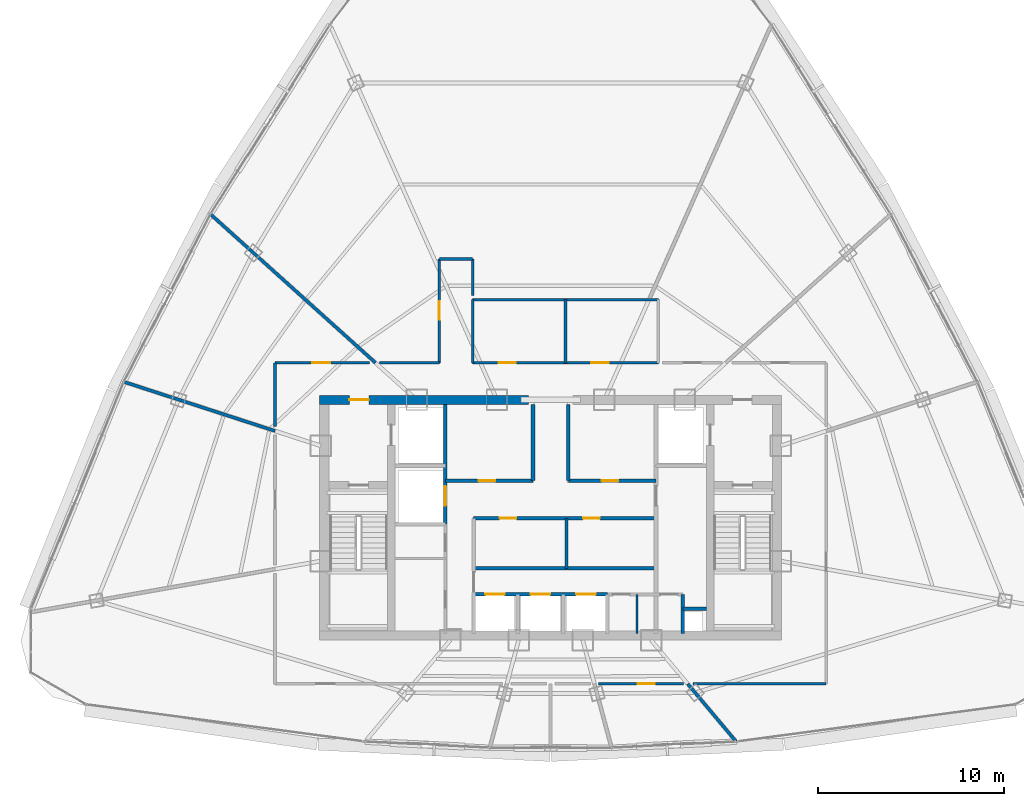
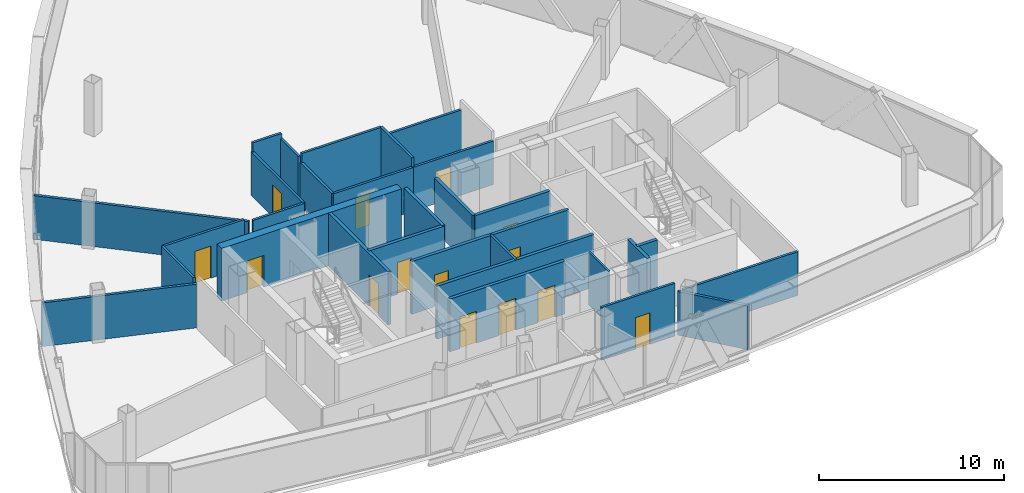
# One storey, part 22 of 26: 30 walls, 14 doors, 14 openings.
"""IFC4 building model written with IfcOpenShell, lengths in metres."""

from ifc_helpers import new_model, si_unit, direction, frame, frame_2d, origin, origin_with_axes, place, context, subcontext, project, spatial, rectangle, extrude, source, transform, mapped, material, layer, layer_set, type_object, element, fill, save


model = new_model("IFC4")

# Units and contexts
model_context = context("Model", 3, precision=1e-05, world=origin(), true_north=direction((0.0, 1.0)))
body_context = subcontext(model_context, "Body", "Model", "MODEL_VIEW")
ifc_project = project(units=[si_unit("LENGTHUNIT", "METRE"), si_unit("AREAUNIT", "SQUARE_METRE"), si_unit("VOLUMEUNIT", "CUBIC_METRE"), si_unit("PLANEANGLEUNIT", "RADIAN"), si_unit("MASSUNIT", "GRAM", prefix="KILO"), si_unit("THERMODYNAMICTEMPERATUREUNIT", "KELVIN"), si_unit("POWERUNIT", "WATT")], contexts=[model_context])

# Site, building, storey
site_placement = place(None, origin())
site = spatial("IfcSite", under=ifc_project, at=site_placement, CompositionType="ELEMENT")
building_placement = place(site_placement, origin())
building = spatial("IfcBuilding", under=site, at=building_placement, Name="Yunzhuo Pagoda Commons", CompositionType="ELEMENT")
storey_placement = place(building_placement, frame((0.0, 0.0, 340.510009765625)))
storey = spatial("IfcBuildingStorey", under=building, at=storey_placement, Name="L85", CompositionType="ELEMENT", Elevation=340.510009765625)

# Wall, opening, door
ifc_material_1 = material(Name="Concrete C50", Category="concrete")
ifc_layer_1 = layer(ifc_material_1, 0.5)
ifc_layer_set_1 = layer_set([ifc_layer_1], Name="Concrete C50")
wall_type_1 = type_object("IfcWallType", Name="W-C03 Upper Core Shear Wall 500", PredefinedType="SHEAR", material=ifc_layer_set_1)
wall_1_placement = place(storey_placement, frame((35.550048828125, 40.199951171875, 0.0), z_axis=(0.0, 0.0, 1.0), x_axis=(1.0, 0.0, 0.0)))
wall_1 = element("IfcWall", 1, at=wall_1_placement, inside=storey, type_object=wall_type_1, Name="L85 core shear wall NW", PredefinedType="SHEAR", context=body_context, shape_type="SweptSolid", body=[
    extrude(rectangle(XDim=11.25, YDim=0.5, at=frame_2d((5.625, 0.0))), origin(), (0.0, 0.0, 1.0), 3.489990234375),
])
opening_1_placement = place(wall_1_placement, frame((1.60009765625, 0.0, 0.0)))
opening_1 = element("IfcOpeningElement", 2, at=opening_1_placement, cuts=wall_1, Name="Opening D-02", PredefinedType="OPENING", context=body_context, shape_type="SweptSolid", body=[
    extrude(rectangle(XDim=1.050048828125, YDim=2.10009765625, at=frame_2d((0.52490234375, 1.050048828125))), frame((0.0, 0.260009765625, 0.0), z_axis=(0.0, -1.0, 0.0), x_axis=(1.0, 0.0, 0.0)), (0.0, 0.0, 1.0), 0.52001953125),
])
ifc_material_2 = material(Name="Galvanized fire-resisting metal leaf")
door_type_1 = type_object("IfcDoorType", Name="D-02 Firefighting Lobby & Refuge Fire Door 1050x2100", OperationType="NOTDEFINED", PredefinedType="DOOR", material=ifc_material_2)
shared_shape_1 = source(origin(), body_context, "Body", "SweptSolid", [
    extrude(rectangle(XDim=1.050048828125, YDim=2.10009765625, at=frame_2d((0.52490234375, 1.050048828125))), frame((0.0, 0.02490234375, 0.0), z_axis=(0.0, -1.0, 0.0), x_axis=(1.0, 0.0, 0.0)), (0.0, 0.0, 1.0), 0.050048828125),
])
door_1_placement = place(opening_1_placement, frame((1.050048828125, 0.0, 0.0), z_axis=(0.0, 0.0, 1.0), x_axis=(-1.0, 0.0, 0.0)))
door_1 = element("IfcDoor", 3, at=door_1_placement, inside=storey, type_object=door_type_1, Name="L85 Firefighting Lobby 1 fire door", OperationType="SINGLE_SWING_LEFT", OverallHeight=2.10009765625, OverallWidth=1.050048828125, PredefinedType="DOOR", context=body_context, shape_type="MappedRepresentation", body=[
    mapped(shared_shape_1, transform((0.0, 0.0, 0.0), scale=1.0)),
])
fill(opening_1, door_1)

# Wall
ifc_material_3 = material(Name="Gypsum plasterboard on acoustic stud")
ifc_layer_2 = layer(ifc_material_3, 0.14990234375)
ifc_layer_set_2 = layer_set([ifc_layer_2], Name="Gypsum plasterboard on acoustic stud")
wall_type_2 = type_object("IfcWallType", Name="W-COR3 High-Zone Rated Corridor Wall 150", PredefinedType="PARTITIONING", material=ifc_layer_set_2)
wall_2_placement = place(storey_placement, frame((48.85009765625, 31.1201171875, 0.0), z_axis=(0.0, 0.0, 1.0), x_axis=(0.0, 1.0, 0.0)))
element("IfcWall", 4, at=wall_2_placement, inside=storey, type_object=wall_type_2, Name="L85 interior wall IW-L85-FRMD", PredefinedType="PARTITIONING", context=body_context, shape_type="SweptSolid", body=[
    extrude(rectangle(XDim=2.699951171875, YDim=0.14990234375, at=frame_2d((1.35009765625, 0.0))), origin(), (0.0, 0.0, 1.0), 3.489990234375),
])

# Wall, opening, door
wall_3_placement = place(storey_placement, frame((43.800048828125, 42.199951171875, 0.0), z_axis=(0.0, 0.0, 1.0), x_axis=(1.0, 0.0, 0.0)))
wall_3 = element("IfcWall", 5, at=wall_3_placement, inside=storey, type_object=wall_type_2, Name="L85 interior wall IW-L85-TFWS", PredefinedType="PARTITIONING", context=body_context, shape_type="SweptSolid", body=[
    extrude(rectangle(XDim=5.0, YDim=0.14990234375, at=frame_2d((2.5, 0.0))), origin(), (0.0, 0.0, 1.0), 2.889892578125),
])
opening_2_placement = place(wall_3_placement, frame((1.39990234375, 0.0, 0.0)))
opening_2 = element("IfcOpeningElement", 6, at=opening_2_placement, cuts=wall_3, Name="Opening D-04", PredefinedType="OPENING", context=body_context, shape_type="SweptSolid", body=[
    extrude(rectangle(XDim=0.919921875, YDim=2.10009765625, at=frame_2d((0.4599609375, 1.050048828125))), frame((0.0, 0.0849609375, 0.0), z_axis=(0.0, -1.0, 0.0), x_axis=(1.0, 0.0, 0.0)), (0.0, 0.0, 1.0), 0.169921875),
])
ifc_material_4 = material(Name="Powder-coated aluminium and timber acoustic leaf", Category="wood")
door_type_2 = type_object("IfcDoorType", Name="D-04 Bedroom & Study Interior Door 920x2100", OperationType="NOTDEFINED", PredefinedType="DOOR", material=ifc_material_4)
shared_shape_2 = source(origin(), body_context, "Body", "SweptSolid", [
    extrude(rectangle(XDim=0.919921875, YDim=2.10009765625, at=frame_2d((0.4599609375, 1.050048828125))), frame((0.0, 0.02490234375, 0.0), z_axis=(0.0, -1.0, 0.0), x_axis=(1.0, 0.0, 0.0)), (0.0, 0.0, 1.0), 0.050048828125),
])
door_2_placement = place(opening_2_placement, frame((0.919921875, 0.0, 0.0), z_axis=(0.0, 0.0, 1.0), x_axis=(-1.0, 0.0, 0.0)))
door_2 = element("IfcDoor", 7, at=door_2_placement, inside=storey, type_object=door_type_2, Name="L85 laundry door", OperationType="SINGLE_SWING_LEFT", OverallHeight=2.10009765625, OverallWidth=0.919921875, PredefinedType="DOOR", context=body_context, shape_type="MappedRepresentation", body=[
    mapped(shared_shape_2, transform((0.0, 0.0, 0.0), scale=1.0)),
])
fill(opening_2, door_2)

# Walls
wall_4_placement = place(storey_placement, frame((43.800048828125, 45.60009765625, 0.0), z_axis=(0.0, 0.0, 1.0), x_axis=(1.0, 0.0, 0.0)))
element("IfcWall", 8, at=wall_4_placement, inside=storey, type_object=wall_type_2, Name="L85 interior wall IW-L85-TFWN", PredefinedType="PARTITIONING", context=body_context, shape_type="SweptSolid", body=[
    extrude(rectangle(XDim=5.0, YDim=0.14990234375, at=frame_2d((2.5, 0.0))), origin(), (0.0, 0.0, 1.0), 3.489990234375),
])
wall_5_placement = place(storey_placement, frame((43.800048828125, 42.199951171875, 0.0), z_axis=(0.0, 0.0, 1.0), x_axis=(0.0, 1.0, 0.0)))
element("IfcWall", 9, at=wall_5_placement, inside=storey, type_object=wall_type_2, Name="L85 interior wall IW-L85-TFWW", PredefinedType="PARTITIONING", context=body_context, shape_type="SweptSolid", body=[
    extrude(rectangle(XDim=3.400146484375, YDim=0.14990234375, at=frame_2d((1.7001953125, 0.0))), origin(), (0.0, 0.0, 1.0), 2.889892578125),
])

# Wall, opening, door
wall_6_placement = place(storey_placement, frame((48.800048828125, 42.199951171875, 0.0), z_axis=(0.0, 0.0, 1.0), x_axis=(1.0, 0.0, 0.0)))
wall_6 = element("IfcWall", 10, at=wall_6_placement, inside=storey, type_object=wall_type_2, Name="L85 interior wall IW-L85-TFES", PredefinedType="PARTITIONING", context=body_context, shape_type="SweptSolid", body=[
    extrude(rectangle(XDim=5.0, YDim=0.14990234375, at=frame_2d((2.5, 0.0))), origin(), (0.0, 0.0, 1.0), 2.889892578125),
])
opening_3_placement = place(wall_6_placement, frame((1.39990234375, 0.0, 0.0)))
opening_3 = element("IfcOpeningElement", 11, at=opening_3_placement, cuts=wall_6, Name="Opening D-11", PredefinedType="OPENING", context=body_context, shape_type="SweptSolid", body=[
    extrude(rectangle(XDim=0.93994140625, YDim=2.10009765625, at=frame_2d((0.469970703125, 1.050048828125))), frame((0.0, 0.0849609375, 0.0), z_axis=(0.0, -1.0, 0.0), x_axis=(1.0, 0.0, 0.0)), (0.0, 0.0, 1.0), 0.169921875),
])
door_type_3 = type_object("IfcDoorType", Name="D-11 Accessible Washroom Fire Door 940x2100", OperationType="NOTDEFINED", PredefinedType="DOOR", material=ifc_material_2)
shared_shape_3 = source(origin(), body_context, "Body", "SweptSolid", [
    extrude(rectangle(XDim=0.93994140625, YDim=2.10009765625, at=frame_2d((0.469970703125, 1.050048828125))), frame((0.0, 0.02490234375, 0.0), z_axis=(0.0, -1.0, 0.0), x_axis=(1.0, 0.0, 0.0)), (0.0, 0.0, 1.0), 0.050048828125),
])
door_3_placement = place(opening_3_placement, frame((0.93994140625, 0.0, 0.0), z_axis=(0.0, 0.0, 1.0), x_axis=(-1.0, 0.0, 0.0)))
door_3 = element("IfcDoor", 12, at=door_3_placement, inside=storey, type_object=door_type_3, Name="L85 accessible WC door", OperationType="SINGLE_SWING_RIGHT", OverallHeight=2.10009765625, OverallWidth=0.93994140625, PredefinedType="DOOR", context=body_context, shape_type="MappedRepresentation", body=[
    mapped(shared_shape_3, transform((0.0, 0.0, 0.0), scale=1.0)),
])
fill(opening_3, door_3)

# Walls
wall_7_placement = place(storey_placement, frame((48.800048828125, 45.60009765625, 0.0), z_axis=(0.0, 0.0, 1.0), x_axis=(1.0, 0.0, 0.0)))
element("IfcWall", 13, at=wall_7_placement, inside=storey, type_object=wall_type_2, Name="L85 interior wall IW-L85-TFEN", PredefinedType="PARTITIONING", context=body_context, shape_type="SweptSolid", body=[
    extrude(rectangle(XDim=5.0, YDim=0.14990234375, at=frame_2d((2.5, 0.0))), origin(), (0.0, 0.0, 1.0), 2.889892578125),
])
wall_8_placement = place(storey_placement, frame((48.800048828125, 42.199951171875, 0.0), z_axis=(0.0, 0.0, 1.0), x_axis=(0.0, 1.0, 0.0)))
element("IfcWall", 14, at=wall_8_placement, inside=storey, type_object=wall_type_2, Name="L85 interior wall IW-L85-TFEW", PredefinedType="PARTITIONING", context=body_context, shape_type="SweptSolid", body=[
    extrude(rectangle(XDim=3.400146484375, YDim=0.14990234375, at=frame_2d((1.7001953125, 0.0))), origin(), (0.0, 0.0, 1.0), 3.489990234375),
])
wall_9_placement = place(storey_placement, frame((33.14990234375, 38.75634765625, 0.0), z_axis=(0.0, 0.0, 1.0), x_axis=(0.0, 1.0, 0.0)))
element("IfcWall", 15, at=wall_9_placement, inside=storey, type_object=wall_type_2, Name="L85 interior wall IW-L85-CWL03", PredefinedType="PARTITIONING", context=body_context, shape_type="SweptSolid", body=[
    extrude(rectangle(XDim=3.443603515625, YDim=0.14990234375, at=frame_2d((1.7216796875, 0.0))), origin(), (0.0, 0.0, 1.0), 3.139892578125),
])

# Wall, opening, door
wall_10_placement = place(storey_placement, frame((33.14990234375, 42.199951171875, 0.0), z_axis=(0.0, 0.0, 1.0), x_axis=(1.0, 0.0, 0.0)))
wall_10 = element("IfcWall", 16, at=wall_10_placement, inside=storey, type_object=wall_type_2, Name="L85 interior wall IW-L85-CWL04", PredefinedType="PARTITIONING", context=body_context, shape_type="SweptSolid", body=[
    extrude(rectangle(XDim=5.0810546875, YDim=0.14990234375, at=frame_2d((2.54052734375, 0.0))), origin(), (0.0, 0.0, 1.0), 3.139892578125),
])
opening_4_placement = place(wall_10_placement, frame((2.0, 0.0, 0.0)))
opening_4 = element("IfcOpeningElement", 17, at=opening_4_placement, cuts=wall_10, Name="Opening D-08", PredefinedType="OPENING", context=body_context, shape_type="SweptSolid", body=[
    extrude(rectangle(XDim=0.97998046875, YDim=2.1201171875, at=frame_2d((0.489990234375, 1.06005859375))), frame((0.0, 0.0849609375, 0.0), z_axis=(0.0, -1.0, 0.0), x_axis=(1.0, 0.0, 0.0)), (0.0, 0.0, 1.0), 0.169921875),
])
door_type_4 = type_object("IfcDoorType", Name="D-08 High-Zone Suite Entrance Fire Door 980x2120", OperationType="NOTDEFINED", PredefinedType="DOOR", material=ifc_material_2)
shared_shape_4 = source(origin(), body_context, "Body", "SweptSolid", [
    extrude(rectangle(XDim=0.97998046875, YDim=2.1201171875, at=frame_2d((0.489990234375, 1.06005859375))), frame((0.0, 0.02490234375, 0.0), z_axis=(0.0, -1.0, 0.0), x_axis=(1.0, 0.0, 0.0)), (0.0, 0.0, 1.0), 0.050048828125),
])
door_4_placement = place(opening_4_placement, origin_with_axes())
door_4 = element("IfcDoor", 18, at=door_4_placement, inside=storey, type_object=door_type_4, Name="L85 unit 04 entrance door", OperationType="SINGLE_SWING_LEFT", OverallHeight=2.1201171875, OverallWidth=0.97998046875, PredefinedType="DOOR", context=body_context, shape_type="MappedRepresentation", body=[
    mapped(shared_shape_4, transform((0.0, 0.0, 0.0), scale=1.0)),
])
fill(opening_4, door_4)

# Wall
wall_11_placement = place(storey_placement, frame((38.779541015625, 42.199951171875, 0.0), z_axis=(0.0, 0.0, 1.0), x_axis=(1.0, 0.0, 0.0)))
element("IfcWall", 19, at=wall_11_placement, inside=storey, type_object=wall_type_2, Name="L85 interior wall IW-L85-CWL05", PredefinedType="PARTITIONING", context=body_context, shape_type="SweptSolid", body=[
    extrude(rectangle(XDim=3.220458984375, YDim=0.14990234375, at=frame_2d((1.6103515625, 0.0))), origin(), (0.0, 0.0, 1.0), 2.889892578125),
])

# Wall, opening, door
wall_12_placement = place(storey_placement, frame((42.0, 42.199951171875, 0.0), z_axis=(0.0, 0.0, 1.0), x_axis=(0.0, 1.0, 0.0)))
wall_12 = element("IfcWall", 20, at=wall_12_placement, inside=storey, type_object=wall_type_2, Name="L85 interior wall IW-L85-CWL06", PredefinedType="PARTITIONING", context=body_context, shape_type="SweptSolid", body=[
    extrude(rectangle(XDim=5.60009765625, YDim=0.14990234375, at=frame_2d((2.800048828125, 0.0))), origin(), (0.0, 0.0, 1.0), 2.889892578125),
])
opening_5_placement = place(wall_12_placement, frame((2.324951171875, 0.0, 0.0)))
opening_5 = element("IfcOpeningElement", 21, at=opening_5_placement, cuts=wall_12, Name="Opening D-08", PredefinedType="OPENING", context=body_context, shape_type="SweptSolid", body=[
    extrude(rectangle(XDim=0.97998046875, YDim=2.1201171875, at=frame_2d((0.489990234375, 1.06005859375))), frame((0.0, 0.0849609375, 0.0), z_axis=(0.0, -1.0, 0.0), x_axis=(1.0, 0.0, 0.0)), (0.0, 0.0, 1.0), 0.169921875),
])
door_5_placement = place(opening_5_placement, origin_with_axes())
door_5 = element("IfcDoor", 22, at=door_5_placement, inside=storey, type_object=door_type_4, Name="L85 Shared Resident Kitchen and Pantry door", OperationType="SINGLE_SWING_RIGHT", OverallHeight=2.1201171875, OverallWidth=0.97998046875, PredefinedType="DOOR", context=body_context, shape_type="MappedRepresentation", body=[
    mapped(shared_shape_4, transform((0.0, 0.0, 0.0), scale=1.0)),
])
fill(opening_5, door_5)

# Walls
wall_13_placement = place(storey_placement, frame((42.0, 47.800048828125, 0.0), z_axis=(0.0, 0.0, 1.0), x_axis=(1.0, 0.0, 0.0)))
element("IfcWall", 23, at=wall_13_placement, inside=storey, type_object=wall_type_2, Name="L85 interior wall IW-L85-CWL07", PredefinedType="PARTITIONING", context=body_context, shape_type="SweptSolid", body=[
    extrude(rectangle(XDim=1.800048828125, YDim=0.14990234375, at=frame_2d((0.89990234375, 0.0))), origin(), (0.0, 0.0, 1.0), 3.489990234375),
])
wall_14_placement = place(storey_placement, frame((43.800048828125, 47.800048828125, 0.0), z_axis=(0.0, 0.0, 1.0), x_axis=(0.0, -1.0, 0.0)))
element("IfcWall", 24, at=wall_14_placement, inside=storey, type_object=wall_type_2, Name="L85 interior wall IW-L85-CWL08", PredefinedType="PARTITIONING", context=body_context, shape_type="SweptSolid", body=[
    extrude(rectangle(XDim=1.97998046875, YDim=0.14990234375, at=frame_2d((0.989990234375, 0.0))), origin(), (0.0, 0.0, 1.0), 3.139892578125),
])
wall_15_placement = place(storey_placement, frame((62.85009765625, 24.89990234375, 0.0), z_axis=(0.0, 0.0, 1.0), x_axis=(-1.0, 0.0, 0.0)))
element("IfcWall", 25, at=wall_15_placement, inside=storey, type_object=wall_type_2, Name="L85 interior wall IW-L85-CWL13", PredefinedType="PARTITIONING", context=body_context, shape_type="SweptSolid", body=[
    extrude(rectangle(XDim=7.1787109375, YDim=0.14990234375, at=frame_2d((3.58935546875, 0.0))), origin(), (0.0, 0.0, 1.0), 2.889892578125),
])

# Wall, opening, door
wall_16_placement = place(storey_placement, frame((55.164306640625, 24.89990234375, 0.0), z_axis=(0.0, 0.0, 1.0), x_axis=(-1.0, 0.0, 0.0)))
wall_16 = element("IfcWall", 26, at=wall_16_placement, inside=storey, type_object=wall_type_2, Name="L85 interior wall IW-L85-CWL14", PredefinedType="PARTITIONING", context=body_context, shape_type="SweptSolid", body=[
    extrude(rectangle(XDim=4.57861328125, YDim=0.14990234375, at=frame_2d((2.289306640625, 0.0))), origin(), (0.0, 0.0, 1.0), 3.489990234375),
])
opening_6_placement = place(wall_16_placement, frame((1.565185546875, 0.0, 0.0)))
opening_6 = element("IfcOpeningElement", 27, at=opening_6_placement, cuts=wall_16, Name="Opening D-12", PredefinedType="OPENING", context=body_context, shape_type="SweptSolid", body=[
    extrude(rectangle(XDim=0.89990234375, YDim=2.080078125, at=frame_2d((0.449951171875, 1.0400390625))), frame((0.0, 0.0849609375, 0.0), z_axis=(0.0, -1.0, 0.0), x_axis=(1.0, 0.0, 0.0)), (0.0, 0.0, 1.0), 0.169921875),
])
door_type_5 = type_object("IfcDoorType", Name="D-12 Quiet Study Interior Door 900x2080", OperationType="NOTDEFINED", PredefinedType="DOOR", material=ifc_material_4)
shared_shape_5 = source(origin(), body_context, "Body", "SweptSolid", [
    extrude(rectangle(XDim=0.89990234375, YDim=2.080078125, at=frame_2d((0.449951171875, 1.0400390625))), frame((0.0, 0.02490234375, 0.0), z_axis=(0.0, -1.0, 0.0), x_axis=(1.0, 0.0, 0.0)), (0.0, 0.0, 1.0), 0.050048828125),
])
door_6_placement = place(opening_6_placement, origin_with_axes())
door_6 = element("IfcDoor", 28, at=door_6_placement, inside=storey, type_object=door_type_5, Name="L85 study lounge 09 door", OperationType="SINGLE_SWING_RIGHT", OverallHeight=2.080078125, OverallWidth=0.89990234375, PredefinedType="DOOR", context=body_context, shape_type="MappedRepresentation", body=[
    mapped(shared_shape_5, transform((0.0, 0.0, 0.0), scale=1.0)),
])
fill(opening_6, door_6)

# Walls
ifc_layer_3 = layer(ifc_material_3, 0.1201171875)
ifc_layer_set_3 = layer_set([ifc_layer_3], Name="Gypsum plasterboard on acoustic stud")
wall_type_3 = type_object("IfcWallType", Name="W-PRT1 Suite & Bathroom Partition 120", PredefinedType="PARTITIONING", material=ifc_layer_set_3)
wall_17_placement = place(storey_placement, frame((52.64990234375, 27.60009765625, 0.0), z_axis=(0.0, 0.0, 1.0), x_axis=(0.0, 1.0, 0.0)))
element("IfcWall", 29, at=wall_17_placement, inside=storey, type_object=wall_type_3, Name="L85 interior wall IW-L85-CD2", PredefinedType="PARTITIONING", context=body_context, shape_type="SweptSolid", body=[
    extrude(rectangle(XDim=2.119873046875, YDim=0.1201171875, at=frame_2d((1.06005859375, 0.0))), origin(), (0.0, 0.0, 1.0), 3.489990234375),
])
ifc_layer_4 = layer(ifc_material_3, 0.169921875)
ifc_layer_set_4 = layer_set([ifc_layer_4], Name="Gypsum plasterboard on acoustic stud")
wall_type_4 = type_object("IfcWallType", Name="W-PRT4 High-Zone Demising Wall 170", PredefinedType="PARTITIONING", material=ifc_layer_set_4)
wall_18_placement = place(storey_placement, frame((38.559814453125, 42.199951171875, 0.0), z_axis=(0.0, 0.0, 1.0), x_axis=(-0.743141978473, 0.669133768264, 0.0)))
element("IfcWall", 30, at=wall_18_placement, inside=storey, type_object=wall_type_4, Name="L85 interior wall IW-L85-RAD04", PredefinedType="PARTITIONING", context=body_context, shape_type="SweptSolid", body=[
    extrude(rectangle(XDim=11.96826171875, YDim=0.169921875, at=frame_2d((5.984130859375, 0.0))), origin(), (0.0, 0.0, 1.0), 2.889892578125),
])
wall_19_placement = place(storey_placement, frame((33.14990234375, 38.525146484375, 0.0), z_axis=(0.0, 0.0, 1.0), x_axis=(-0.951059599238, 0.309007505891, 0.0)))
element("IfcWall", 31, at=wall_19_placement, inside=storey, type_object=wall_type_4, Name="L85 interior wall IW-L85-RAD05", PredefinedType="PARTITIONING", context=body_context, shape_type="SweptSolid", body=[
    extrude(rectangle(XDim=8.572265625, YDim=0.169921875, at=frame_2d((4.2861328125, 0.0))), origin(), (0.0, 0.0, 1.0), 2.889892578125),
])
wall_20_placement = place(storey_placement, frame((55.384033203125, 24.89990234375, 0.0), z_axis=(0.0, 0.0, 1.0), x_axis=(0.642829150269, -0.766009584512, 0.0)))
element("IfcWall", 32, at=wall_20_placement, inside=storey, type_object=wall_type_4, Name="L85 interior wall IW-L85-RAD10", PredefinedType="PARTITIONING", context=body_context, shape_type="SweptSolid", body=[
    extrude(rectangle(XDim=4.071044921875, YDim=0.169921875, at=frame_2d((2.03564453125, 0.0))), origin(), (0.0, 0.0, 1.0), 2.889892578125),
])

# Wall, opening, door
ifc_material_5 = material(Name="Concrete C40", Category="concrete")
ifc_layer_5 = layer(ifc_material_5, 0.199951171875)
ifc_layer_set_5 = layer_set([ifc_layer_5], Name="Concrete C40")
wall_type_5 = type_object("IfcWallType", Name="W-SHF Shaft & Stair Enclosure Wall 200", PredefinedType="SOLIDWALL", material=ifc_layer_set_5)
wall_21_placement = place(storey_placement, frame((42.320068359375, 33.5, 0.0), z_axis=(0.0, 0.0, 1.0), x_axis=(0.0, 1.0, 0.0)))
wall_21 = element("IfcWall", 33, at=wall_21_placement, inside=storey, type_object=wall_type_5, Name="L85 interior wall IW-L85-FL1E", PredefinedType="SOLIDWALL", context=body_context, shape_type="SweptSolid", body=[
    extrude(rectangle(XDim=6.449951171875, YDim=0.199951171875, at=frame_2d((3.22509765625, 0.0))), origin(), (0.0, 0.0, 1.0), 3.489990234375),
])
opening_7_placement = place(wall_21_placement, frame((1.0, 0.0, 0.0)))
opening_7 = element("IfcOpeningElement", 34, at=opening_7_placement, cuts=wall_21, Name="Opening LD-02", PredefinedType="OPENING", context=body_context, shape_type="SweptSolid", body=[
    extrude(rectangle(XDim=1.050048828125, YDim=2.10009765625, at=frame_2d((0.52490234375, 1.050048828125))), frame((0.0, 0.10986328125, 0.0), z_axis=(0.0, -1.0, 0.0), x_axis=(1.0, 0.0, 0.0)), (0.0, 0.0, 1.0), 0.219970703125),
])
door_type_6 = type_object("IfcDoorType", Name="LD-02 Passenger Lift Landing Door 1050x2100", OperationType="DOUBLE_DOOR_SLIDING", PredefinedType="DOOR", material=ifc_material_2)
door_7_placement = place(opening_7_placement, origin_with_axes())
door_7 = element("IfcDoor", 35, at=door_7_placement, inside=storey, type_object=door_type_6, Name="L85 Service lift SL-1 landing door", OperationType="DOUBLE_DOOR_SLIDING", OverallHeight=2.10009765625, OverallWidth=1.050048828125, PredefinedType="DOOR", context=body_context, shape_type="MappedRepresentation", body=[
    mapped(shared_shape_1, transform((0.0, 0.0, 0.0), scale=1.0)),
])
fill(opening_7, door_7)

wall_22_placement = place(storey_placement, frame((42.320068359375, 35.85009765625, 0.0), z_axis=(0.0, 0.0, 1.0), x_axis=(1.0, 0.0, 0.0)))
wall_22 = element("IfcWall", 36, at=wall_22_placement, inside=storey, type_object=wall_type_5, Name="L85 interior wall IW-L85-LBNW", PredefinedType="SOLIDWALL", context=body_context, shape_type="SweptSolid", body=[
    extrude(rectangle(XDim=4.72998046875, YDim=0.199951171875, at=frame_2d((2.364990234375, 0.0))), origin(), (0.0, 0.0, 1.0), 3.489990234375),
])
opening_8_placement = place(wall_22_placement, frame((1.800048828125, 0.0, 0.0)))
opening_8 = element("IfcOpeningElement", 37, at=opening_8_placement, cuts=wall_22, Name="Opening D-03", PredefinedType="OPENING", context=body_context, shape_type="SweptSolid", body=[
    extrude(rectangle(XDim=0.89990234375, YDim=2.10009765625, at=frame_2d((0.449951171875, 1.050048828125))), frame((0.0, 0.10986328125, 0.0), z_axis=(0.0, -1.0, 0.0), x_axis=(1.0, 0.0, 0.0)), (0.0, 0.0, 1.0), 0.219970703125),
])
door_type_7 = type_object("IfcDoorType", Name="D-03 Core Service Fire Door 900x2100", OperationType="NOTDEFINED", PredefinedType="DOOR", material=ifc_material_2)
shared_shape_6 = source(origin(), body_context, "Body", "SweptSolid", [
    extrude(rectangle(XDim=0.89990234375, YDim=2.10009765625, at=frame_2d((0.449951171875, 1.050048828125))), frame((0.0, 0.02490234375, 0.0), z_axis=(0.0, -1.0, 0.0), x_axis=(1.0, 0.0, 0.0)), (0.0, 0.0, 1.0), 0.050048828125),
])
door_8_placement = place(opening_8_placement, frame((0.89990234375, 0.0, 0.0), z_axis=(0.0, 0.0, 1.0), x_axis=(-1.0, 0.0, 0.0)))
door_8 = element("IfcDoor", 38, at=door_8_placement, inside=storey, type_object=door_type_7, Name="L85 core west store door", OperationType="SINGLE_SWING_LEFT", OverallHeight=2.10009765625, OverallWidth=0.89990234375, PredefinedType="DOOR", context=body_context, shape_type="MappedRepresentation", body=[
    mapped(shared_shape_6, transform((0.0, 0.0, 0.0), scale=1.0)),
])
fill(opening_8, door_8)

wall_23_placement = place(storey_placement, frame((48.949951171875, 35.85009765625, 0.0), z_axis=(0.0, 0.0, 1.0), x_axis=(1.0, 0.0, 0.0)))
wall_23 = element("IfcWall", 39, at=wall_23_placement, inside=storey, type_object=wall_type_5, Name="L85 interior wall IW-L85-LBNE", PredefinedType="SOLIDWALL", context=body_context, shape_type="SweptSolid", body=[
    extrude(rectangle(XDim=4.72998046875, YDim=0.199951171875, at=frame_2d((2.364990234375, 0.0))), origin(), (0.0, 0.0, 1.0), 3.489990234375),
])
opening_9_placement = place(wall_23_placement, frame((1.800048828125, 0.0, 0.0)))
opening_9 = element("IfcOpeningElement", 40, at=opening_9_placement, cuts=wall_23, Name="Opening D-03", PredefinedType="OPENING", context=body_context, shape_type="SweptSolid", body=[
    extrude(rectangle(XDim=0.89990234375, YDim=2.10009765625, at=frame_2d((0.449951171875, 1.050048828125))), frame((0.0, 0.10986328125, 0.0), z_axis=(0.0, -1.0, 0.0), x_axis=(1.0, 0.0, 0.0)), (0.0, 0.0, 1.0), 0.219970703125),
])
door_9_placement = place(opening_9_placement, frame((0.89990234375, 0.0, 0.0), z_axis=(0.0, 0.0, 1.0), x_axis=(-1.0, 0.0, 0.0)))
door_9 = element("IfcDoor", 41, at=door_9_placement, inside=storey, type_object=door_type_7, Name="L85 core east store door", OperationType="SINGLE_SWING_RIGHT", OverallHeight=2.10009765625, OverallWidth=0.89990234375, PredefinedType="DOOR", context=body_context, shape_type="MappedRepresentation", body=[
    mapped(shared_shape_6, transform((0.0, 0.0, 0.0), scale=1.0)),
])
fill(opening_9, door_9)

# Walls
for number, where, z_axis, x_axis, name in (
    (42, (47.050048828125, 35.85009765625, 0.0), (0.0, 0.0, 1.0), (0.0, 1.0, 0.0), "L85 interior wall IW-L85-THRW"),
    (43, (48.949951171875, 35.85009765625, 0.0), (0.0, 0.0, 1.0), (0.0, 1.0, 0.0), "L85 interior wall IW-L85-THRE"),
):
    element("IfcWall", number, at=place(storey_placement, frame(where, z_axis=z_axis, x_axis=x_axis)), inside=storey, type_object=wall_type_5, Name=name, PredefinedType="SOLIDWALL", context=body_context, shape_type="SweptSolid", body=[
        extrude(rectangle(XDim=4.099853515625, YDim=0.199951171875, at=frame_2d((2.0498046875, 0.0))), origin(), (0.0, 0.0, 1.0), 3.489990234375),
    ])

# Wall, openings, doors
wall_24_placement = place(storey_placement, frame((43.85009765625, 33.820068359375, 0.0), z_axis=(0.0, 0.0, 1.0), x_axis=(1.0, 0.0, 0.0)))
wall_24 = element("IfcWall", 44, at=wall_24_placement, inside=storey, type_object=wall_type_5, Name="L85 interior wall IW-L85-MLBS", PredefinedType="SOLIDWALL", context=body_context, shape_type="SweptSolid", body=[
    extrude(rectangle(XDim=9.829833984375, YDim=0.199951171875, at=frame_2d((4.9150390625, 0.0))), origin(), (0.0, 0.0, 1.0), 3.489990234375),
])
opening_10_placement = place(wall_24_placement, frame((1.39990234375, 0.0, 0.0)))
opening_10 = element("IfcOpeningElement", 45, at=opening_10_placement, cuts=wall_24, Name="Opening D-03", PredefinedType="OPENING", context=body_context, shape_type="SweptSolid", body=[
    extrude(rectangle(XDim=0.89990234375, YDim=2.10009765625, at=frame_2d((0.449951171875, 1.050048828125))), frame((0.0, 0.10986328125, 0.0), z_axis=(0.0, -1.0, 0.0), x_axis=(1.0, 0.0, 0.0)), (0.0, 0.0, 1.0), 0.219970703125),
])
opening_11_placement = place(wall_24_placement, frame((5.89990234375, 0.0, 0.0)))
opening_11 = element("IfcOpeningElement", 46, at=opening_11_placement, cuts=wall_24, Name="Opening D-03", PredefinedType="OPENING", context=body_context, shape_type="SweptSolid", body=[
    extrude(rectangle(XDim=0.89990234375, YDim=2.10009765625, at=frame_2d((0.449951171875, 1.050048828125))), frame((0.0, 0.10986328125, 0.0), z_axis=(0.0, -1.0, 0.0), x_axis=(1.0, 0.0, 0.0)), (0.0, 0.0, 1.0), 0.219970703125),
])
door_10_placement = place(opening_10_placement, origin_with_axes())
door_10 = element("IfcDoor", 47, at=door_10_placement, inside=storey, type_object=door_type_7, Name="L85 core mid-west store door", OperationType="SINGLE_SWING_LEFT", OverallHeight=2.10009765625, OverallWidth=0.89990234375, PredefinedType="DOOR", context=body_context, shape_type="MappedRepresentation", body=[
    mapped(shared_shape_6, transform((0.0, 0.0, 0.0), scale=1.0)),
])
fill(opening_10, door_10)
door_11_placement = place(opening_11_placement, origin_with_axes())
door_11 = element("IfcDoor", 48, at=door_11_placement, inside=storey, type_object=door_type_7, Name="L85 core mid-east store door", OperationType="SINGLE_SWING_RIGHT", OverallHeight=2.10009765625, OverallWidth=0.89990234375, PredefinedType="DOOR", context=body_context, shape_type="MappedRepresentation", body=[
    mapped(shared_shape_6, transform((0.0, 0.0, 0.0), scale=1.0)),
])
fill(opening_11, door_11)

wall_25_placement = place(storey_placement, frame((43.85009765625, 29.719970703125, 0.0), z_axis=(0.0, 0.0, 1.0), x_axis=(1.0, 0.0, 0.0)))
wall_25 = element("IfcWall", 49, at=wall_25_placement, inside=storey, type_object=wall_type_5, Name="L85 interior wall IW-L85-PLHN", PredefinedType="SOLIDWALL", context=body_context, shape_type="SweptSolid", body=[
    extrude(rectangle(XDim=7.199951171875, YDim=0.199951171875, at=frame_2d((3.60009765625, 0.0))), origin(), (0.0, 0.0, 1.0), 3.489990234375),
])
opening_12_placement = place(wall_25_placement, frame((0.625, 0.0, 0.0)))
opening_12 = element("IfcOpeningElement", 50, at=opening_12_placement, cuts=wall_25, Name="Opening LD-02", PredefinedType="OPENING", context=body_context, shape_type="SweptSolid", body=[
    extrude(rectangle(XDim=1.050048828125, YDim=2.10009765625, at=frame_2d((0.52490234375, 1.050048828125))), frame((0.0, 0.10986328125, 0.0), z_axis=(0.0, -1.0, 0.0), x_axis=(1.0, 0.0, 0.0)), (0.0, 0.0, 1.0), 0.219970703125),
])
opening_13_placement = place(wall_25_placement, frame((3.074951171875, 0.0, 0.0)))
opening_13 = element("IfcOpeningElement", 51, at=opening_13_placement, cuts=wall_25, Name="Opening LD-02", PredefinedType="OPENING", context=body_context, shape_type="SweptSolid", body=[
    extrude(rectangle(XDim=1.050048828125, YDim=2.10009765625, at=frame_2d((0.52490234375, 1.050048828125))), frame((0.0, 0.10986328125, 0.0), z_axis=(0.0, -1.0, 0.0), x_axis=(1.0, 0.0, 0.0)), (0.0, 0.0, 1.0), 0.219970703125),
])
opening_14_placement = place(wall_25_placement, frame((5.52490234375, 0.0, 0.0)))
opening_14 = element("IfcOpeningElement", 52, at=opening_14_placement, cuts=wall_25, Name="Opening LD-02", PredefinedType="OPENING", context=body_context, shape_type="SweptSolid", body=[
    extrude(rectangle(XDim=1.050048828125, YDim=2.10009765625, at=frame_2d((0.52490234375, 1.050048828125))), frame((0.0, 0.10986328125, 0.0), z_axis=(0.0, -1.0, 0.0), x_axis=(1.0, 0.0, 0.0)), (0.0, 0.0, 1.0), 0.219970703125),
])
door_12_placement = place(opening_12_placement, origin_with_axes())
door_12 = element("IfcDoor", 53, at=door_12_placement, inside=storey, type_object=door_type_6, Name="L85 Passenger lift PL-H1 landing door", OperationType="DOUBLE_DOOR_SLIDING", OverallHeight=2.10009765625, OverallWidth=1.050048828125, PredefinedType="DOOR", context=body_context, shape_type="MappedRepresentation", body=[
    mapped(shared_shape_1, transform((0.0, 0.0, 0.0), scale=1.0)),
])
fill(opening_12, door_12)
door_13_placement = place(opening_13_placement, origin_with_axes())
door_13 = element("IfcDoor", 54, at=door_13_placement, inside=storey, type_object=door_type_6, Name="L85 Passenger lift PL-H2 landing door", OperationType="DOUBLE_DOOR_SLIDING", OverallHeight=2.10009765625, OverallWidth=1.050048828125, PredefinedType="DOOR", context=body_context, shape_type="MappedRepresentation", body=[
    mapped(shared_shape_1, transform((0.0, 0.0, 0.0), scale=1.0)),
])
fill(opening_13, door_13)
door_14_placement = place(opening_14_placement, origin_with_axes())
door_14 = element("IfcDoor", 55, at=door_14_placement, inside=storey, type_object=door_type_6, Name="L85 Passenger lift PL-H3 landing door", OperationType="DOUBLE_DOOR_SLIDING", OverallHeight=2.10009765625, OverallWidth=1.050048828125, PredefinedType="DOOR", context=body_context, shape_type="MappedRepresentation", body=[
    mapped(shared_shape_1, transform((0.0, 0.0, 0.0), scale=1.0)),
])
fill(opening_14, door_14)

# Walls
wall_26_placement = place(storey_placement, frame((43.85009765625, 31.1201171875, 0.0), z_axis=(0.0, 0.0, 1.0), x_axis=(1.0, 0.0, 0.0)))
element("IfcWall", 56, at=wall_26_placement, inside=storey, type_object=wall_type_5, Name="L85 interior wall IW-L85-PLMS2", PredefinedType="SOLIDWALL", context=body_context, shape_type="SweptSolid", body=[
    extrude(rectangle(XDim=9.829833984375, YDim=0.199951171875, at=frame_2d((4.9150390625, 0.0))), origin(), (0.0, 0.0, 1.0), 3.489990234375),
])
wall_27_placement = place(storey_placement, frame((55.1201171875, 27.60009765625, 0.0), z_axis=(0.0, 0.0, 1.0), x_axis=(0.0, 1.0, 0.0)))
element("IfcWall", 57, at=wall_27_placement, inside=storey, type_object=wall_type_5, Name="L85 interior wall IW-L85-RSHFW", PredefinedType="SOLIDWALL", context=body_context, shape_type="SweptSolid", body=[
    extrude(rectangle(XDim=2.119873046875, YDim=0.199951171875, at=frame_2d((1.06005859375, 0.0))), origin(), (0.0, 0.0, 1.0), 3.489990234375),
])
wall_28_placement = place(storey_placement, frame((55.1201171875, 28.949951171875, 0.0), z_axis=(0.0, 0.0, 1.0), x_axis=(1.0, 0.0, 0.0)))
element("IfcWall", 58, at=wall_28_placement, inside=storey, type_object=wall_type_5, Name="L85 interior wall IW-L85-RSHFN", PredefinedType="SOLIDWALL", context=body_context, shape_type="SweptSolid", body=[
    extrude(rectangle(XDim=1.27978515625, YDim=0.199951171875, at=frame_2d((0.639892578125, 0.0))), origin(), (0.0, 0.0, 1.0), 3.489990234375),
])

save(model, "model.ifc")
